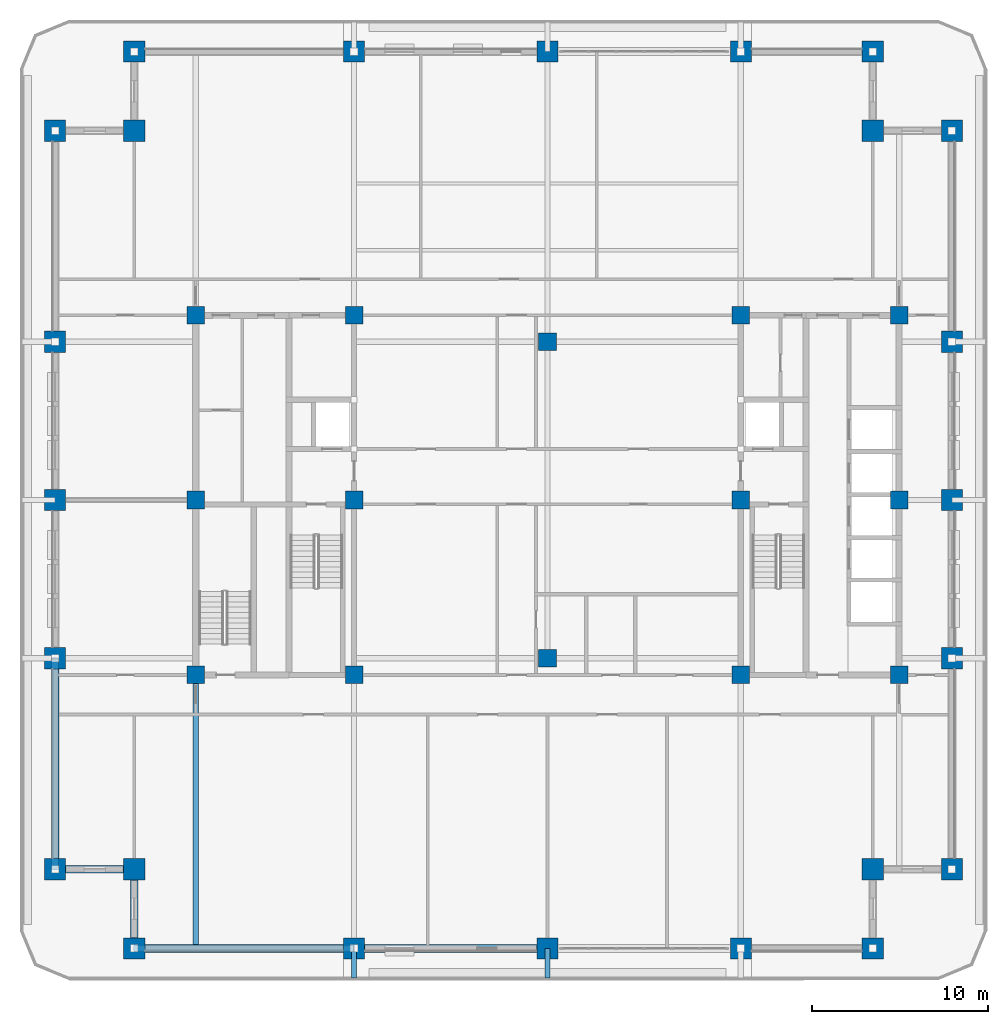
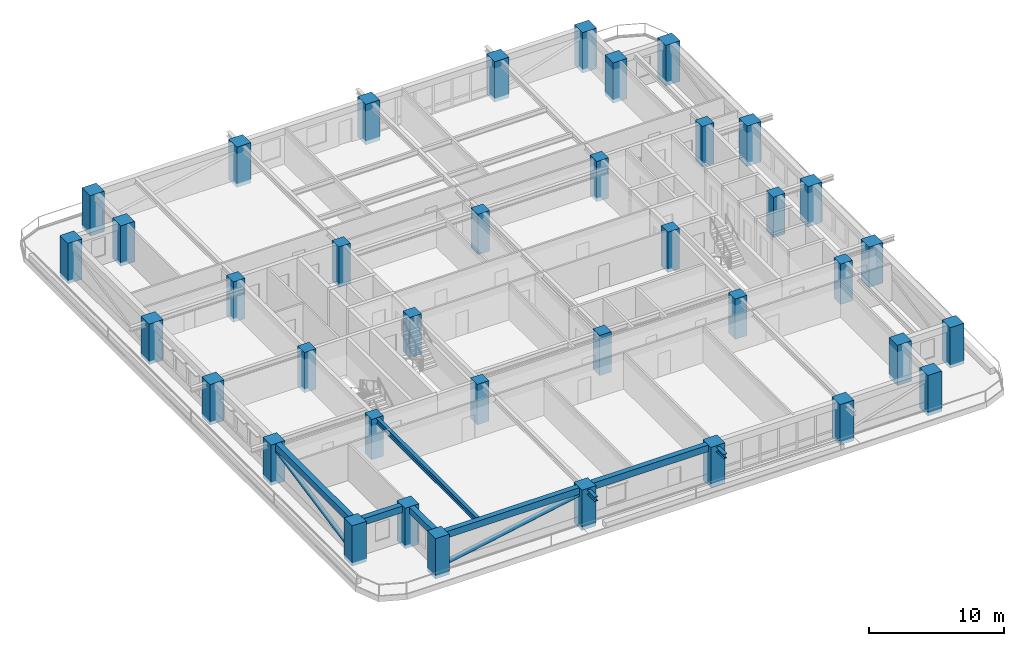
# One storey, part 1 of 20: 38 columns, 8 beams, 2 members.
"""IFC4 building model written with IfcOpenShell, lengths in metres."""

from ifc_helpers import new_model, si_unit, direction, frame, origin, origin_2d, place, context, subcontext, project, spatial, rectangle, hollow_circle, i_section, extrude, material, material_profile, profile_set, type_object, element, save


model = new_model("IFC4")

# Units and contexts
model_context = context("Model", 3, precision=1e-05, world=origin(), true_north=direction((0.0, 1.0)))
body_context = subcontext(model_context, "Body", "Model", "MODEL_VIEW")
ifc_project = project(units=[si_unit("LENGTHUNIT", "METRE"), si_unit("AREAUNIT", "SQUARE_METRE"), si_unit("VOLUMEUNIT", "CUBIC_METRE"), si_unit("PLANEANGLEUNIT", "RADIAN"), si_unit("MASSUNIT", "GRAM", prefix="KILO")], contexts=[model_context])

# Site, building, storey
site_placement = place(None, origin())
site = spatial("IfcSite", under=ifc_project, at=site_placement, CompositionType="ELEMENT")
building_placement = place(site_placement, origin())
building = spatial("IfcBuilding", under=site, at=building_placement, Name="Zulmaris Gate Convention Tower", CompositionType="ELEMENT")
storey_placement = place(building_placement, frame((0.0, 0.0, 142.769775390625)))
storey = spatial("IfcBuildingStorey", under=building, at=storey_placement, Name="L36", CompositionType="ELEMENT", Elevation=142.769775390625)

# Columns
ifc_material_1 = material(Name="Concrete C60/75", Category="concrete")
ifc_material_profile_1 = material_profile(ifc_material_1, rectangle(XDim=1.0, YDim=1.0, at=origin_2d()), Name="RC COL 1000x1000")
ifc_profile_set_1 = profile_set([ifc_material_profile_1], Name="Concrete C60/75")
column_type_1 = type_object("IfcColumnType", Name="COL-RC1000", PredefinedType="COLUMN", material=ifc_profile_set_1)
for number, where, z_axis, x_axis, name in (
    (1, (-20.0, -9.949951171875, -0.324951171875), (0.0, 0.0, 1.0), (1.0, 0.0, 0.0), "L36 Column IN--20.00_-9.95"),
    (2, (-20.0, 10.5, -0.324951171875), (0.0, 0.0, 1.0), (1.0, 0.0, 0.0), "L36 Column IN--20.00_+10.50"),
    (3, (-11.0, -9.949951171875, -0.324951171875), (0.0, 0.0, 1.0), (1.0, 0.0, 0.0), "L36 Column IN--11.00_-9.95"),
    (4, (-11.0, 0.0, -0.324951171875), (0.0, 0.0, 1.0), (1.0, 0.0, 0.0), "L36 Column IN--11.00_+0.00"),
    (5, (-11.0, 10.5, -0.324951171875), (0.0, 0.0, 1.0), (1.0, 0.0, 0.0), "L36 Column IN--11.00_+10.50"),
    (6, (11.0, -9.949951171875, -0.324951171875), (0.0, 0.0, 1.0), (1.0, 0.0, 0.0), "L36 Column IN-+11.00_-9.95"),
    (7, (11.0, 0.0, -0.324951171875), (0.0, 0.0, 1.0), (1.0, 0.0, 0.0), "L36 Column IN-+11.00_+0.00"),
    (8, (11.0, 10.5, -0.324951171875), (0.0, 0.0, 1.0), (1.0, 0.0, 0.0), "L36 Column IN-+11.00_+10.50"),
    (9, (20.0, -9.949951171875, -0.324951171875), (0.0, 0.0, 1.0), (1.0, 0.0, 0.0), "L36 Column IN-+20.00_-9.95"),
    (10, (20.0, 10.5, -0.324951171875), (0.0, 0.0, 1.0), (1.0, 0.0, 0.0), "L36 Column IN-+20.00_+10.50"),
    (11, (0.0, -9.0, -0.324951171875), (0.0, 0.0, 1.0), (1.0, 0.0, 0.0), "L36 Column IN-+0.00_-9.00"),
    (12, (0.0, 9.0, -0.324951171875), (0.0, 0.0, 1.0), (1.0, 0.0, 0.0), "L36 Column IN-+0.00_+9.00"),
    (13, (-20.0, 0.0, -0.324951171875), (0.0, 0.0, 1.0), (1.0, 0.0, 0.0), "L36 Column IN--20.00_+0.00"),
    (14, (20.0, 0.0, -0.324951171875), (0.0, 0.0, 1.0), (1.0, 0.0, 0.0), "L36 Column IN-+20.00_+0.00"),
):
    element("IfcColumn", number, at=place(storey_placement, frame(where, z_axis=z_axis, x_axis=x_axis)), inside=storey, type_object=column_type_1, Name=name, PredefinedType="COLUMN", context=body_context, shape_type="SweptSolid", body=[
        extrude(rectangle(XDim=1.0, YDim=1.0, at=origin_2d()), origin(), (0.0, 0.0, 1.0), 3.64501953125),
    ])
ifc_material_2 = material(Name="Concrete C70/85", Category="concrete")
ifc_material_profile_2 = material_profile(ifc_material_2, rectangle(XDim=1.199951171875, YDim=1.199951171875, at=origin_2d()), Name="RC COL 1200x1200")
ifc_profile_set_2 = profile_set([ifc_material_profile_2], Name="Concrete C70/85")
column_type_2 = type_object("IfcColumnType", Name="COL-RC1200", PredefinedType="COLUMN", material=ifc_profile_set_2)
for number, where, z_axis, x_axis, name in (
    (15, (-23.5, -25.5, -0.324951171875), (0.0, 0.0, 1.0), (1.0, 0.0, 0.0), "L36 Column PT--23.50_-25.50"),
    (16, (-11.0, -25.5, -0.324951171875), (0.0, 0.0, 1.0), (1.0, 0.0, 0.0), "L36 Column PT--11.00_-25.50"),
    (17, (0.0, -25.5, -0.324951171875), (0.0, 0.0, 1.0), (1.0, 0.0, 0.0), "L36 Column PT-+0.00_-25.50"),
    (18, (11.0, -25.5, -0.324951171875), (0.0, 0.0, 1.0), (1.0, 0.0, 0.0), "L36 Column PT-+11.00_-25.50"),
    (19, (18.5, -25.5, -0.324951171875), (0.0, 0.0, 1.0), (1.0, 0.0, 0.0), "L36 Column PT-+18.50_-25.50"),
    (20, (-23.5, 25.5, -0.324951171875), (0.0, 0.0, 1.0), (1.0, 0.0, 0.0), "L36 Column PT--23.50_+25.50"),
    (21, (-11.0, 25.5, -0.324951171875), (0.0, 0.0, 1.0), (1.0, 0.0, 0.0), "L36 Column PT--11.00_+25.50"),
    (22, (0.0, 25.5, -0.324951171875), (0.0, 0.0, 1.0), (1.0, 0.0, 0.0), "L36 Column PT-+0.00_+25.50"),
    (23, (11.0, 25.5, -0.324951171875), (0.0, 0.0, 1.0), (1.0, 0.0, 0.0), "L36 Column PT-+11.00_+25.50"),
    (24, (18.5, 25.5, -0.324951171875), (0.0, 0.0, 1.0), (1.0, 0.0, 0.0), "L36 Column PT-+18.50_+25.50"),
    (25, (-28.0, -21.0, -0.324951171875), (0.0, 0.0, 1.0), (1.0, 0.0, 0.0), "L36 Column PT--28.00_-21.00"),
    (26, (-28.0, -9.0, -0.324951171875), (0.0, 0.0, 1.0), (1.0, 0.0, 0.0), "L36 Column PT--28.00_-9.00"),
    (27, (-28.0, 0.0, -0.324951171875), (0.0, 0.0, 1.0), (1.0, 0.0, 0.0), "L36 Column PT--28.00_+0.00"),
    (28, (-28.0, 9.0, -0.324951171875), (0.0, 0.0, 1.0), (1.0, 0.0, 0.0), "L36 Column PT--28.00_+9.00"),
    (29, (-28.0, 21.0, -0.324951171875), (0.0, 0.0, 1.0), (1.0, 0.0, 0.0), "L36 Column PT--28.00_+21.00"),
    (30, (23.0, -21.0, -0.324951171875), (0.0, 0.0, 1.0), (1.0, 0.0, 0.0), "L36 Column PT-+23.00_-21.00"),
    (31, (23.0, -9.0, -0.324951171875), (0.0, 0.0, 1.0), (1.0, 0.0, 0.0), "L36 Column PT-+23.00_-9.00"),
    (32, (23.0, 0.0, -0.324951171875), (0.0, 0.0, 1.0), (1.0, 0.0, 0.0), "L36 Column PT-+23.00_+0.00"),
    (33, (23.0, 9.0, -0.324951171875), (0.0, 0.0, 1.0), (1.0, 0.0, 0.0), "L36 Column PT-+23.00_+9.00"),
    (34, (23.0, 21.0, -0.324951171875), (0.0, 0.0, 1.0), (1.0, 0.0, 0.0), "L36 Column PT-+23.00_+21.00"),
    (35, (-23.5, -21.0, -0.324951171875), (0.0, 0.0, 1.0), (1.0, 0.0, 0.0), "L36 Column PT--23.50_-21.00"),
    (36, (18.5, -21.0, -0.324951171875), (0.0, 0.0, 1.0), (1.0, 0.0, 0.0), "L36 Column PT-+18.50_-21.00"),
    (37, (18.5, 21.0, -0.324951171875), (0.0, 0.0, 1.0), (1.0, 0.0, 0.0), "L36 Column PT-+18.50_+21.00"),
    (38, (-23.5, 21.0, -0.324951171875), (0.0, 0.0, 1.0), (1.0, 0.0, 0.0), "L36 Column PT--23.50_+21.00"),
):
    element("IfcColumn", number, at=place(storey_placement, frame(where, z_axis=z_axis, x_axis=x_axis)), inside=storey, type_object=column_type_2, Name=name, PredefinedType="COLUMN", context=body_context, shape_type="SweptSolid", body=[
        extrude(rectangle(XDim=1.199951171875, YDim=1.199951171875, at=origin_2d()), origin(), (0.0, 0.0, 1.0), 3.64501953125),
    ])

# Beams
ifc_material_3 = material(Name="Steel S355", Category="steel")
ifc_material_profile_3 = material_profile(ifc_material_3, i_section(OverallWidth=0.300048828125, OverallDepth=0.39990234375, WebThickness=0.013427734375, FlangeThickness=0.02392578125, FilletRadius=0.027099609375, at=origin_2d()), Name="HEB 400")
ifc_profile_set_3 = profile_set([ifc_material_profile_3], Name="Steel S355")
beam_type_1 = type_object("IfcBeamType", Name="BM-HEB400", PredefinedType="BEAM", material=ifc_profile_set_3)
for number, where, z_axis, x_axis, name in (
    (39, (-11.0, -27.199951171875, 2.97998046875), (0.0, 1.0, 0.0), (-1.0, 0.0, 0.0), "L36 Beam TBRK-L36-S--11"),
    (40, (0.0, -27.199951171875, 2.97998046875), (0.0, 1.0, 0.0), (-1.0, 0.0, 0.0), "L36 Beam TBRK-L36-S-+0"),
):
    element("IfcBeam", number, at=place(storey_placement, frame(where, z_axis=z_axis, x_axis=x_axis)), inside=storey, type_object=beam_type_1, Name=name, PredefinedType="BEAM", context=body_context, shape_type="SweptSolid", body=[
        extrude(i_section(OverallWidth=0.300048828125, OverallDepth=0.39990234375, WebThickness=0.013427734375, FlangeThickness=0.02392578125, FilletRadius=0.027099609375, at=origin_2d()), origin(), (0.0, 0.0, 1.0), 1.699951171875),
    ])
ifc_material_profile_4 = material_profile(ifc_material_3, i_section(OverallWidth=0.300048828125, OverallDepth=0.5, WebThickness=0.014404296875, FlangeThickness=0.028076171875, FilletRadius=0.027099609375, at=origin_2d()), Name="HEB 500")
ifc_profile_set_4 = profile_set([ifc_material_profile_4], Name="Steel S355")
beam_type_2 = type_object("IfcBeamType", Name="BM-HEB500", PredefinedType="BEAM", material=ifc_profile_set_4)
beam_1_placement = place(storey_placement, frame((-20.0, -25.5, 3.068115234375), z_axis=(0.0, 1.0, 0.0), x_axis=(-1.0, 0.0, 0.0)))
element("IfcBeam", 41, at=beam_1_placement, inside=storey, type_object=beam_type_2, Name="L36 Beam BM-L36-G12", PredefinedType="BEAM", context=body_context, shape_type="SweptSolid", body=[
    extrude(i_section(OverallWidth=0.300048828125, OverallDepth=0.5, WebThickness=0.014404296875, FlangeThickness=0.028076171875, FilletRadius=0.027099609375, at=origin_2d()), origin(), (0.0, 0.0, 1.0), 15.550048828125),
])
ifc_material_4 = material(Name="Precast concrete C50/60", Category="concrete")
ifc_material_profile_5 = material_profile(ifc_material_4, rectangle(XDim=0.449951171875, YDim=0.60009765625, at=origin_2d()), Name="RC SPANDREL 450x600")
ifc_profile_set_5 = profile_set([ifc_material_profile_5], Name="Precast concrete C50/60")
beam_type_3 = type_object("IfcBeamType", Name="BM-SP450x600", PredefinedType="SPANDREL", material=ifc_profile_set_5)
beam_2_placement = place(storey_placement, frame((-23.5, -25.5, 3.02001953125), z_axis=(1.0, 0.0, 0.0), x_axis=(0.0, 1.0, 0.0)))
element("IfcBeam", 42, at=beam_2_placement, inside=storey, type_object=beam_type_3, Name="L36 Spandrel SP-L36-01", PredefinedType="SPANDREL", context=body_context, shape_type="SweptSolid", body=[
    extrude(rectangle(XDim=0.449951171875, YDim=0.60009765625, at=origin_2d()), origin(), (0.0, 0.0, 1.0), 12.5),
])
beam_3_placement = place(storey_placement, frame((-11.0, -25.5, 3.02001953125), z_axis=(1.0, 0.0, 0.0), x_axis=(0.0, 1.0, 0.0)))
element("IfcBeam", 43, at=beam_3_placement, inside=storey, type_object=beam_type_3, Name="L36 Spandrel SP-L36-02", PredefinedType="SPANDREL", context=body_context, shape_type="SweptSolid", body=[
    extrude(rectangle(XDim=0.449951171875, YDim=0.60009765625, at=origin_2d()), origin(), (0.0, 0.0, 1.0), 11.0),
])
beam_4_placement = place(storey_placement, frame((-28.0, -9.0, 3.02001953125), z_axis=(0.0, -1.0, 0.0), x_axis=(1.0, 0.0, 0.0)))
element("IfcBeam", 44, at=beam_4_placement, inside=storey, type_object=beam_type_3, Name="L36 Spandrel SP-L36-22", PredefinedType="SPANDREL", context=body_context, shape_type="SweptSolid", body=[
    extrude(rectangle(XDim=0.449951171875, YDim=0.60009765625, at=origin_2d()), origin(), (0.0, 0.0, 1.0), 12.0),
])
for number, where, z_axis, x_axis, name in (
    (45, (-28.0, -21.0, 3.02001953125), (1.0, 0.0, 0.0), (0.0, 1.0, 0.0), "L36 Spandrel SP-L36-23"),
    (46, (-23.5, -21.0, 3.02001953125), (0.0, -1.0, 0.0), (1.0, 0.0, 0.0), "L36 Spandrel SP-L36-24"),
):
    element("IfcBeam", number, at=place(storey_placement, frame(where, z_axis=z_axis, x_axis=x_axis)), inside=storey, type_object=beam_type_3, Name=name, PredefinedType="SPANDREL", context=body_context, shape_type="SweptSolid", body=[
        extrude(rectangle(XDim=0.449951171875, YDim=0.60009765625, at=origin_2d()), origin(), (0.0, 0.0, 1.0), 4.5),
    ])

# Members
ifc_material_5 = material(Name="Steel S460", Category="steel")
ifc_material_profile_6 = material_profile(ifc_material_5, hollow_circle(Radius=0.203125, WallThickness=0.02001953125, at=origin_2d()), Name="CHS 406.4x20")
ifc_profile_set_6 = profile_set([ifc_material_profile_6], Name="Steel S460")
member_type = type_object("IfcMemberType", Name="BR-CHS406", PredefinedType="BRACE", material=ifc_profile_set_6)
member_1_placement = place(storey_placement, frame((-28.0, -21.0, 0.300048828125), z_axis=(0.0, 0.980582210276, 0.196108462057), x_axis=(-1.0, 0.0, 0.0)))
element("IfcMember", 47, at=member_1_placement, inside=storey, type_object=member_type, Name="L36 Perimeter Tube Diagonal SW-W", PredefinedType="BRACE", context=body_context, shape_type="SweptSolid", body=[
    extrude(hollow_circle(Radius=0.203125, WallThickness=0.02001953125, at=origin_2d()), origin(), (0.0, 0.0, 1.0), 12.237548828125),
])
member_2_placement = place(storey_placement, frame((-23.5, -25.5, 0.300048828125), z_axis=(0.982063862241, 0.0, 0.188548589176), x_axis=(0.0, 1.0, 0.0)))
element("IfcMember", 48, at=member_2_placement, inside=storey, type_object=member_type, Name="L36 Perimeter Tube Diagonal SW-S", PredefinedType="BRACE", context=body_context, shape_type="SweptSolid", body=[
    extrude(hollow_circle(Radius=0.203125, WallThickness=0.02001953125, at=origin_2d()), origin(), (0.0, 0.0, 1.0), 12.728271484375),
])

save(model, "model.ifc")
